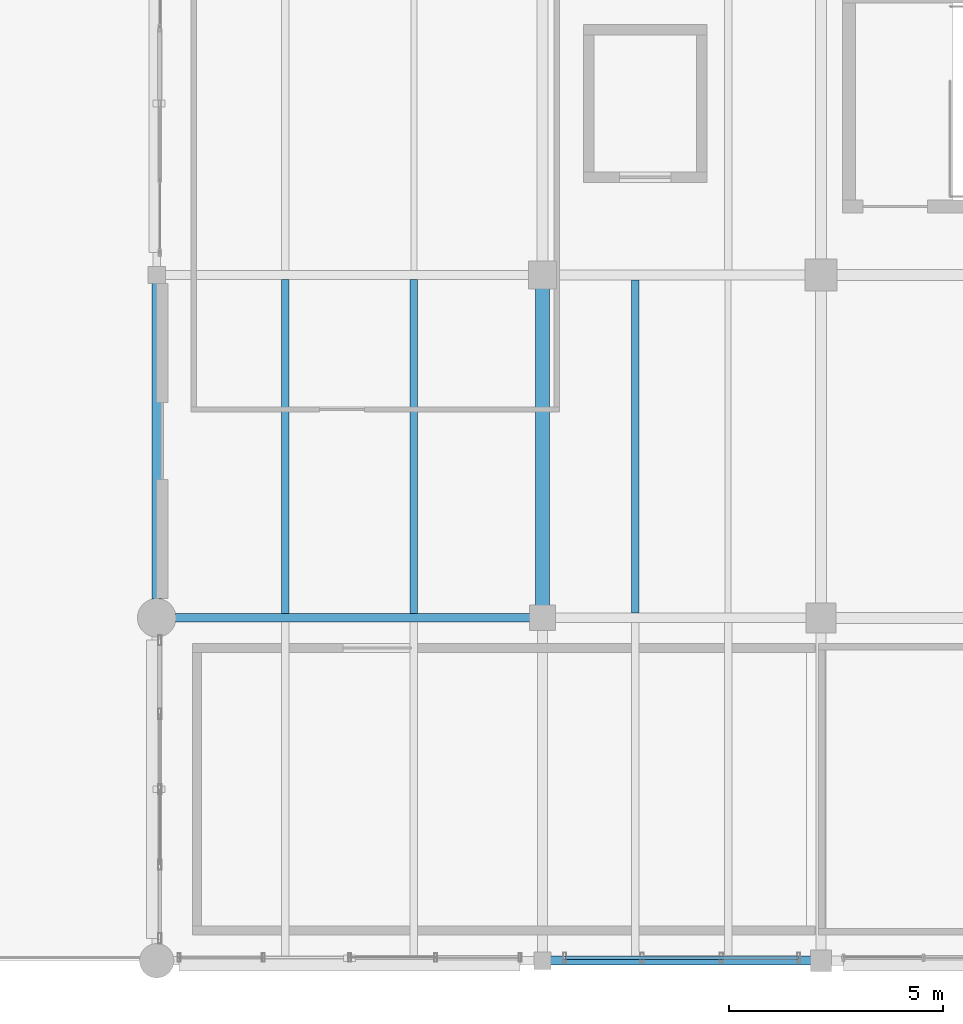
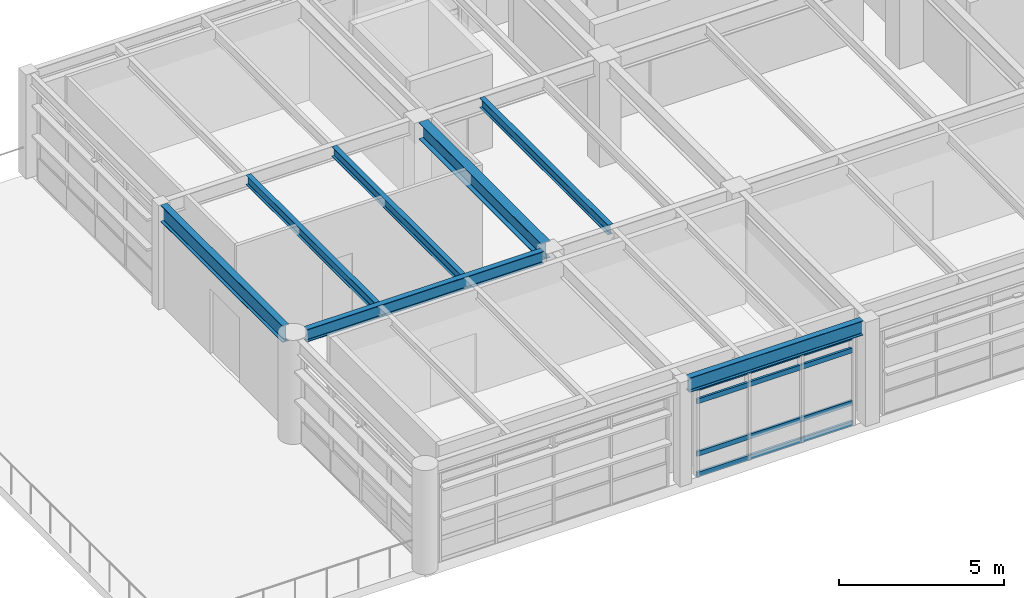
# One storey, part 3 of 26: 7 beams, 4 members, 1 element without a shape of its own.
"""IFC4 building model written with IfcOpenShell, lengths in metres."""

import ifcopenshell
import ifcopenshell.guid

model = None  # the IFC model being written
_history = None  # IfcOwnerHistory: only IFC2X3 demands one
_inside = {}  # id of a spatial element -> (the spatial element, [elements in it])
_under = {}  # id of a project, library or spatial element -> (it, [spatial elements below it])
_declared = {}  # id of a project -> (the project, [libraries it declares])
_typed = {}  # id of a type object -> (the type object, [elements of that type])
_made_of = {}  # id of a material, layer set ... -> (it, [elements and type objects made of it])


def new_model(schema):
    """Start an empty IFC model of exactly this schema.

    Asked for "IFC4X3", IfcOpenShell would pick the latest addendum, in which some entities
    have other attributes; the version numbers below select the first issue.
    IFC2X3 requires an IfcOwnerHistory on every rooted entity: one is made here for all.
    """
    global model, _history
    if schema == "IFC4X3":
        model = ifcopenshell.file(schema_version=(4, 3, 0, 0))
    else:
        model = ifcopenshell.file(schema=schema)
    _inside.clear()
    _under.clear()
    _declared.clear()
    _typed.clear()
    _made_of.clear()
    _history = None
    if model.schema == "IFC2X3":
        org = make("IfcOrganization", Name="unknown")
        user = make(
            "IfcPersonAndOrganization",
            ThePerson=make("IfcPerson", FamilyName="unknown"),
            TheOrganization=org,
        )
        app = make(
            "IfcApplication",
            ApplicationDeveloper=org,
            Version="unknown",
            ApplicationFullName="unknown",
            ApplicationIdentifier="unknown",
        )
        _history = make(
            "IfcOwnerHistory",
            OwningUser=user,
            OwningApplication=app,
            ChangeAction="ADDED",
            CreationDate=0,
        )
    return model


def make(cls, **values):
    """One entity of the class cls with the attributes given. An attribute that is None is left unset."""
    return model.create_entity(
        cls, **{name: value for name, value in values.items() if value is not None}
    )


def rooted(cls, **values):
    """An entity with a GlobalId (a new one), such as an element, a storey or a relation."""
    return make(cls, GlobalId=ifcopenshell.guid.new(), OwnerHistory=_history, **values)


def si_unit(unit_type, name, prefix=None):
    """IfcSIUnit, for example si_unit("LENGTHUNIT", "METRE", prefix="MILLI")."""
    return make("IfcSIUnit", UnitType=unit_type, Prefix=prefix, Name=name)


def assignment(units):
    """IfcUnitAssignment: the units of a project."""
    return None if units is None else make("IfcUnitAssignment", Units=units)


def point(xyz):
    """IfcCartesianPoint."""
    return None if xyz is None else make("IfcCartesianPoint", Coordinates=xyz)


def direction(xyz):
    """IfcDirection."""
    return None if xyz is None else make("IfcDirection", DirectionRatios=xyz)


def frame(location, z_axis=None, x_axis=None):
    """IfcAxis2Placement3D, a coordinate frame: its origin and axes. An axis left out is left unset."""
    return make(
        "IfcAxis2Placement3D",
        Location=point(location),
        Axis=direction(z_axis),
        RefDirection=direction(x_axis),
    )


def frame_2d(location, x_axis=None):
    """IfcAxis2Placement2D, a coordinate frame in the plane: its origin and x axis."""
    return make(
        "IfcAxis2Placement2D", Location=point(location), RefDirection=direction(x_axis)
    )


def origin():
    """The frame at (0, 0, 0) with its axes left unset."""
    return frame((0.0, 0.0, 0.0))


def origin_2d():
    """The frame at (0, 0) in the plane with its x axis left unset."""
    return frame_2d((0.0, 0.0))


def place(relative_to, where):
    """IfcLocalPlacement: puts the frame where relative to a parent placement (None: the world)."""
    return make(
        "IfcLocalPlacement", PlacementRelTo=relative_to, RelativePlacement=where
    )


def context(
    kind, dimensions, precision=None, world=None, true_north=None, identifier=None
):
    """IfcGeometricRepresentationContext, for example the 3D "Model" context."""
    return make(
        "IfcGeometricRepresentationContext",
        ContextIdentifier=identifier,
        ContextType=kind,
        CoordinateSpaceDimension=dimensions,
        Precision=precision,
        WorldCoordinateSystem=world,
        TrueNorth=true_north,
    )


def subcontext(parent, identifier, kind, view, scale=None):
    """IfcGeometricRepresentationSubContext, for example "Body" below "Model"."""
    return make(
        "IfcGeometricRepresentationSubContext",
        ContextIdentifier=identifier,
        ContextType=kind,
        ParentContext=parent,
        TargetScale=scale,
        TargetView=view,
    )


def project(units=None, contexts=None):
    """IfcProject with its units and contexts."""
    return rooted(
        "IfcProject",
        Name="project",
        RepresentationContexts=contexts,
        UnitsInContext=assignment(units),
    )


def spatial(cls, under=None, at=None, **own):
    """A site, building, storey or space (cls), placed at a placement, below another one or the project."""
    s = rooted(cls, ObjectPlacement=at, **own)
    if under is not None:
        _under.setdefault(under.id(), (under, []))[1].append(s)
    return s


def profile(cls, at=None, kind="AREA", **sizes):
    """A parametric profile (cls). Its sizes go by their IFC names, for example OverallWidth=200.0."""
    return make(cls, ProfileType=kind, Position=at, **sizes)


def hollow_rectangle(**sizes):
    """IfcRectangleHollowProfileDef."""
    return profile("IfcRectangleHollowProfileDef", **sizes)


def i_section(**sizes):
    """IfcIShapeProfileDef."""
    return profile("IfcIShapeProfileDef", **sizes)


def extrude(swept, where, along, depth):
    """IfcExtrudedAreaSolid: the profile swept, set in the frame where, extruded along a direction by depth."""
    return make(
        "IfcExtrudedAreaSolid",
        SweptArea=swept,
        Position=where,
        ExtrudedDirection=direction(along),
        Depth=depth,
    )


def shape(context_of_items, identifier, shape_type, items):
    """IfcShapeRepresentation: the items that make up one representation, for example the "Body"."""
    return make(
        "IfcShapeRepresentation",
        ContextOfItems=context_of_items,
        RepresentationIdentifier=identifier,
        RepresentationType=shape_type,
        Items=items,
    )


def material(Name=None, Category=None):
    """IfcMaterial."""
    return make("IfcMaterial", Name=Name, Category=Category)


def material_profile(
    of_material, cross_section, Name=None, Category=None, Priority=None
):
    """IfcMaterialProfile: a cross section and its material."""
    return make(
        "IfcMaterialProfile",
        Name=Name,
        Material=of_material,
        Profile=cross_section,
        Priority=Priority,
        Category=Category,
    )


def profile_set(profiles, Name=None, composite=None):
    """IfcMaterialProfileSet."""
    return make(
        "IfcMaterialProfileSet",
        Name=Name,
        MaterialProfiles=profiles,
        CompositeProfile=composite,
    )


def made_of(thing, what):
    """Note that an element or type object is made of a material, layer set ...; save() writes the relation."""
    if what is not None:
        _made_of.setdefault(what.id(), (what, []))[1].append(thing)
    return thing


def type_object(cls, material=None, **own):
    """A type object (cls), such as IfcWallType, which elements share."""
    return made_of(rooted(cls, **own), material)


def element(
    cls,
    number,
    at=None,
    inside=None,
    cuts=None,
    type_object=None,
    material=None,
    context=None,
    identifier="Body",
    shape_type=None,
    held_by="IfcProductDefinitionShape",
    body=None,
    shapes=None,
    **own,
):
    """One element of the class cls, such as IfcWall. Its Tag is "e" and its number.

    at: its placement. inside: the storey or other place that contains it. cuts: it is an
    opening in that element (IfcRelVoidsElement). A single representation is given by context,
    identifier, shape_type and body (its items); several are given by shapes. held_by: the class
    of the entity that holds the representations. save() writes the other relations.
    """
    e = rooted(cls, Tag="e%d" % number, ObjectPlacement=at, **own)
    if body is not None:
        shapes = [shape(context, identifier, shape_type, body)]
    if shapes is not None:
        e.Representation = make(held_by, Representations=shapes)
    if inside is not None:
        _inside.setdefault(inside.id(), (inside, []))[1].append(e)
    if cuts is not None:
        rooted(
            "IfcRelVoidsElement", RelatingBuildingElement=cuts, RelatedOpeningElement=e
        )
    if type_object is not None:
        _typed.setdefault(type_object.id(), (type_object, []))[1].append(e)
    return made_of(e, material)


def aggregate(whole, parts):
    """IfcRelAggregates: a whole, such as a stair, and the parts it consists of."""
    return rooted("IfcRelAggregates", RelatingObject=whole, RelatedObjects=parts)


def save(model, path):
    """Write the relations noted so far, then the file.

    IfcRelAggregates (storeys below a building ...), IfcRelContainedInSpatialStructure (elements
    in a storey), IfcRelDefinesByType, IfcRelAssociatesMaterial and IfcRelDeclares: one each for
    every whole, place, type object, material and project.
    """
    for whole, parts in _under.values():
        aggregate(whole, parts)
    for where, things in _inside.values():
        rooted(
            "IfcRelContainedInSpatialStructure",
            RelatedElements=things,
            RelatingStructure=where,
        )
    for kind, things in _typed.values():
        rooted("IfcRelDefinesByType", RelatedObjects=things, RelatingType=kind)
    for what, things in _made_of.values():
        rooted("IfcRelAssociatesMaterial", RelatedObjects=things, RelatingMaterial=what)
    for by, libraries in _declared.values():
        rooted("IfcRelDeclares", RelatingContext=by, RelatedDefinitions=libraries)
    model.write(path)


model = new_model("IFC4")

# Units and contexts
model_context = context("Model", 3, precision=1e-05, world=origin(), true_north=direction((0.0, 1.0)))
body_context = subcontext(model_context, "Body", "Model", "MODEL_VIEW")
ifc_project = project(units=[si_unit("LENGTHUNIT", "METRE"), si_unit("AREAUNIT", "SQUARE_METRE"), si_unit("VOLUMEUNIT", "CUBIC_METRE"), si_unit("PLANEANGLEUNIT", "RADIAN"), si_unit("MASSUNIT", "GRAM", prefix="KILO"), si_unit("THERMODYNAMICTEMPERATUREUNIT", "KELVIN"), si_unit("POWERUNIT", "WATT")], contexts=[model_context])

# Site, building, storey
site_placement = place(None, origin())
site = spatial("IfcSite", under=ifc_project, at=site_placement, CompositionType="ELEMENT")
building_placement = place(site_placement, origin())
building = spatial("IfcBuilding", under=site, at=building_placement, Name="Tepalcoro Natatorium and Aquatics Centre", CompositionType="ELEMENT")
storey_placement = place(building_placement, frame((0.0, 0.0, 19.0)))
storey = spatial("IfcBuildingStorey", under=building, at=storey_placement, Name="L04", CompositionType="ELEMENT", Elevation=19.0)

# Beams
ifc_material_1 = material(Name="Steel ASTM A992 Grade 50 (Fy 345 MPa)", Category="steel")
ifc_material_profile_1 = material_profile(ifc_material_1, i_section(OverallWidth=0.193115234375, OverallDepth=0.467041015625, WebThickness=0.010986328125, FlangeThickness=0.01904296875, FilletRadius=0.013916015625, at=origin_2d()), Name="W18X65")
ifc_profile_set_1 = profile_set([ifc_material_profile_1], Name="Steel ASTM A992 Grade 50 (Fy 345 MPa)")
beam_type_1 = type_object("IfcBeamType", Name="BM_W18x65", PredefinedType="BEAM", material=ifc_profile_set_1)
beam_1_placement = place(storey_placement, frame((116.43505859375, 102.0, 3.6015625), z_axis=(1.0, 0.0, 0.0), x_axis=(0.0, 1.0, 0.0)))
element("IfcBeam", 1, at=beam_1_placement, inside=storey, type_object=beam_type_1, Name="V5 L04 Grid Girder X", PredefinedType="BEAM", context=body_context, shape_type="SweptSolid", body=[
    extrude(i_section(OverallWidth=0.193115234375, OverallDepth=0.467041015625, WebThickness=0.010986328125, FlangeThickness=0.01904296875, FilletRadius=0.013916015625, at=origin_2d()), origin(), (0.0, 0.0, 1.0), 8.280029296875),
])
ifc_material_profile_2 = material_profile(ifc_material_1, i_section(OverallWidth=0.324951171875, OverallDepth=0.616943359375, WebThickness=0.013916015625, FlangeThickness=0.02197265625, FilletRadius=0.013916015625, at=origin_2d()), Name="W24X117")
ifc_profile_set_2 = profile_set([ifc_material_profile_2], Name="Steel ASTM A992 Grade 50 (Fy 345 MPa)")
beam_type_2 = type_object("IfcBeamType", Name="BM_W24x117", PredefinedType="BEAM", material=ifc_profile_set_2)
beam_2_placement = place(storey_placement, frame((125.0, 102.284912109375, 3.526611328125), z_axis=(0.0, 1.0, 0.0), x_axis=(-1.0, 0.0, 0.0)))
element("IfcBeam", 2, at=beam_2_placement, inside=storey, type_object=beam_type_2, Name="V5 L04 Grid Girder Y", PredefinedType="BEAM", context=body_context, shape_type="SweptSolid", body=[
    extrude(i_section(OverallWidth=0.324951171875, OverallDepth=0.616943359375, WebThickness=0.013916015625, FlangeThickness=0.02197265625, FilletRadius=0.013916015625, at=origin_2d()), origin(), (0.0, 0.0, 1.0), 7.405029296875),
])

# Curtain wall, members
ifc_material_2 = material(Name="Bronze-Anodised Extruded Aluminium Alloy EN AW-6063 T6", Category="aluminium")
curtain_wall_type = type_object("IfcCurtainWallType", Name="CW_V3_FOYER", PredefinedType="USERDEFINED", material=ifc_material_2)
curtain_wall_placement = place(storey_placement, origin())
curtain_wall = element("IfcCurtainWall", 3, at=curtain_wall_placement, inside=storey, type_object=curtain_wall_type, Name="V5 L04 S Unitised Curtain Wall Bay 2", ObjectType="UNITISED STOREFRONT", PredefinedType="USERDEFINED")
ifc_material_profile_3 = material_profile(ifc_material_2, hollow_rectangle(XDim=0.080078125, YDim=0.179931640625, WallThickness=0.0048828125, at=origin_2d()), Name="AL80X180X5")
ifc_profile_set_3 = profile_set([ifc_material_profile_3], Name="Bronze-Anodised Extruded Aluminium Alloy EN AW-6063 T6")
member_type = type_object("IfcMemberType", Name="CW_TRN_80x180", PredefinedType="USERDEFINED", material=ifc_profile_set_3)
member_1_placement = place(storey_placement, frame((125.530029296875, 94.0712890625, 0.050048828125), z_axis=(1.0, 0.0, 0.0), x_axis=(0.0, 1.0, 0.0)))
member_1 = element("IfcMember", 4, at=member_1_placement, type_object=member_type, Name="CW_V3_FOYER Curtain Wall Transom", ObjectType="TRANSOM", PredefinedType="USERDEFINED", context=body_context, shape_type="SweptSolid", body=[
    extrude(hollow_rectangle(XDim=0.080078125, YDim=0.179931640625, WallThickness=0.0048828125, at=origin_2d()), origin(), (0.0, 0.0, 1.0), 5.43994140625),
])
member_2_placement = place(storey_placement, frame((125.530029296875, 94.0712890625, 0.821044921875), z_axis=(1.0, 0.0, 0.0), x_axis=(0.0, 1.0, 0.0)))
member_2 = element("IfcMember", 5, at=member_2_placement, type_object=member_type, Name="CW_V3_FOYER Curtain Wall Transom", ObjectType="TRANSOM", PredefinedType="USERDEFINED", context=body_context, shape_type="SweptSolid", body=[
    extrude(hollow_rectangle(XDim=0.080078125, YDim=0.179931640625, WallThickness=0.0048828125, at=origin_2d()), origin(), (0.0, 0.0, 1.0), 5.43994140625),
])
member_3_placement = place(storey_placement, frame((125.530029296875, 94.0712890625, 2.758544921875), z_axis=(1.0, 0.0, 0.0), x_axis=(0.0, 1.0, 0.0)))
member_3 = element("IfcMember", 6, at=member_3_placement, type_object=member_type, Name="CW_V3_FOYER Curtain Wall Transom", ObjectType="TRANSOM", PredefinedType="USERDEFINED", context=body_context, shape_type="SweptSolid", body=[
    extrude(hollow_rectangle(XDim=0.080078125, YDim=0.179931640625, WallThickness=0.0048828125, at=origin_2d()), origin(), (0.0, 0.0, 1.0), 5.43994140625),
])
member_4_placement = place(storey_placement, frame((125.530029296875, 94.0712890625, 3.23388671875), z_axis=(1.0, 0.0, 0.0), x_axis=(0.0, 1.0, 0.0)))
member_4 = element("IfcMember", 7, at=member_4_placement, type_object=member_type, Name="CW_V3_FOYER Curtain Wall Transom", ObjectType="TRANSOM", PredefinedType="USERDEFINED", context=body_context, shape_type="SweptSolid", body=[
    extrude(hollow_rectangle(XDim=0.080078125, YDim=0.179931640625, WallThickness=0.0048828125, at=origin_2d()), origin(), (0.0, 0.0, 1.0), 5.43994140625),
])
aggregate(curtain_wall, [member_1, member_2, member_3, member_4])

# Beams
ifc_material_profile_4 = material_profile(ifc_material_1, i_section(OverallWidth=0.1708984375, OverallDepth=0.35107421875, WebThickness=0.007080078125, FlangeThickness=0.010009765625, FilletRadius=0.013916015625, at=origin_2d()), Name="W14X30")
ifc_profile_set_4 = profile_set([ifc_material_profile_4], Name="Steel ASTM A992 Grade 50 (Fy 345 MPa)")
beam_type_3 = type_object("IfcBeamType", Name="JS_W14x30", PredefinedType="JOIST", material=ifc_profile_set_4)
beam_3_placement = place(storey_placement, frame((119.0, 102.096435546875, 3.659423828125), z_axis=(0.0, 1.0, 0.0), x_axis=(-1.0, 0.0, 0.0)))
element("IfcBeam", 8, at=beam_3_placement, inside=storey, type_object=beam_type_3, Name="V5 L04 Floor Joist", PredefinedType="JOIST", context=body_context, shape_type="SweptSolid", body=[
    extrude(i_section(OverallWidth=0.1708984375, OverallDepth=0.35107421875, WebThickness=0.007080078125, FlangeThickness=0.010009765625, FilletRadius=0.013916015625, at=origin_2d()), origin(), (0.0, 0.0, 1.0), 7.798583984375),
])
ifc_material_profile_5 = material_profile(ifc_material_1, i_section(OverallWidth=0.172119140625, OverallDepth=0.35791015625, WebThickness=0.008056640625, FlangeThickness=0.012939453125, FilletRadius=0.013916015625, at=origin_2d()), Name="W14X38")
ifc_profile_set_5 = profile_set([ifc_material_profile_5], Name="Steel ASTM A992 Grade 50 (Fy 345 MPa)")
beam_type_4 = type_object("IfcBeamType", Name="JS_W14x38", PredefinedType="JOIST", material=ifc_profile_set_5)
beam_4_placement = place(storey_placement, frame((122.0, 102.096435546875, 3.656005859375), z_axis=(0.0, 1.0, 0.0), x_axis=(-1.0, 0.0, 0.0)))
element("IfcBeam", 9, at=beam_4_placement, inside=storey, type_object=beam_type_4, Name="V5 L04 Floor Joist", PredefinedType="JOIST", context=body_context, shape_type="SweptSolid", body=[
    extrude(i_section(OverallWidth=0.172119140625, OverallDepth=0.35791015625, WebThickness=0.008056640625, FlangeThickness=0.012939453125, FilletRadius=0.013916015625, at=origin_2d()), origin(), (0.0, 0.0, 1.0), 7.798583984375),
])
beam_5_placement = place(storey_placement, frame((127.166748046875, 102.114013671875, 3.656005859375), z_axis=(0.0, 1.0, 0.0), x_axis=(-1.0, 0.0, 0.0)))
element("IfcBeam", 10, at=beam_5_placement, inside=storey, type_object=beam_type_4, Name="V5 L04 Floor Joist", PredefinedType="JOIST", context=body_context, shape_type="SweptSolid", body=[
    extrude(i_section(OverallWidth=0.172119140625, OverallDepth=0.35791015625, WebThickness=0.008056640625, FlangeThickness=0.012939453125, FilletRadius=0.013916015625, at=origin_2d()), origin(), (0.0, 0.0, 1.0), 7.77099609375),
])
ifc_material_profile_6 = material_profile(ifc_material_1, i_section(OverallWidth=0.2099609375, OverallDepth=0.535888671875, WebThickness=0.010986328125, FlangeThickness=0.01708984375, FilletRadius=0.013916015625, at=origin_2d()), Name="W21X68")
ifc_profile_set_6 = profile_set([ifc_material_profile_6], Name="Steel ASTM A992 Grade 50 (Fy 345 MPa)")
beam_type_5 = type_object("IfcBeamType", Name="SP_W21x68", PredefinedType="SPANDREL", material=ifc_profile_set_6)
beam_6_placement = place(storey_placement, frame((125.18505859375, 94.0, 3.56689453125), z_axis=(1.0, 0.0, 0.0), x_axis=(0.0, 1.0, 0.0)))
element("IfcBeam", 11, at=beam_6_placement, inside=storey, type_object=beam_type_5, Name="V5 L04 Grid Girder X", PredefinedType="SPANDREL", context=body_context, shape_type="SweptSolid", body=[
    extrude(i_section(OverallWidth=0.2099609375, OverallDepth=0.535888671875, WebThickness=0.010986328125, FlangeThickness=0.01708984375, FilletRadius=0.013916015625, at=origin_2d()), origin(), (0.0, 0.0, 1.0), 6.079833984375),
])
ifc_material_profile_7 = material_profile(ifc_material_1, i_section(OverallWidth=0.22900390625, OverallDepth=0.612060546875, WebThickness=0.011962890625, FlangeThickness=0.02001953125, FilletRadius=0.013916015625, at=origin_2d()), Name="W24X84")
ifc_profile_set_7 = profile_set([ifc_material_profile_7], Name="Steel ASTM A992 Grade 50 (Fy 345 MPa)")
beam_type_6 = type_object("IfcBeamType", Name="SP_W24x84", PredefinedType="SPANDREL", material=ifc_profile_set_7)
beam_7_placement = place(storey_placement, frame((116.0, 102.43505859375, 3.529052734375), z_axis=(0.0, 1.0, 0.0), x_axis=(-1.0, 0.0, 0.0)))
element("IfcBeam", 12, at=beam_7_placement, inside=storey, type_object=beam_type_6, Name="V5 L04 Grid Girder Y", PredefinedType="SPANDREL", context=body_context, shape_type="SweptSolid", body=[
    extrude(i_section(OverallWidth=0.22900390625, OverallDepth=0.612060546875, WebThickness=0.011962890625, FlangeThickness=0.02001953125, FilletRadius=0.013916015625, at=origin_2d()), origin(), (0.0, 0.0, 1.0), 7.3798828125),
])

save(model, "model.ifc")
